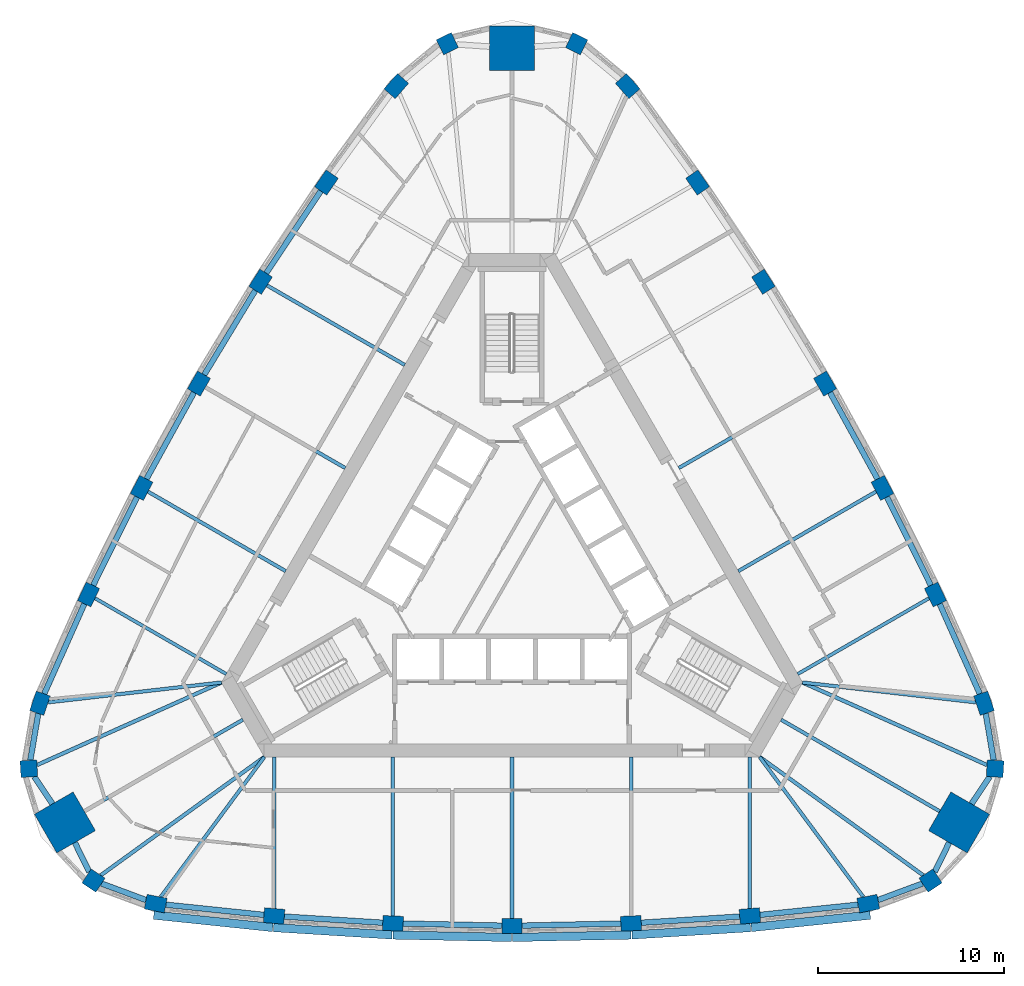
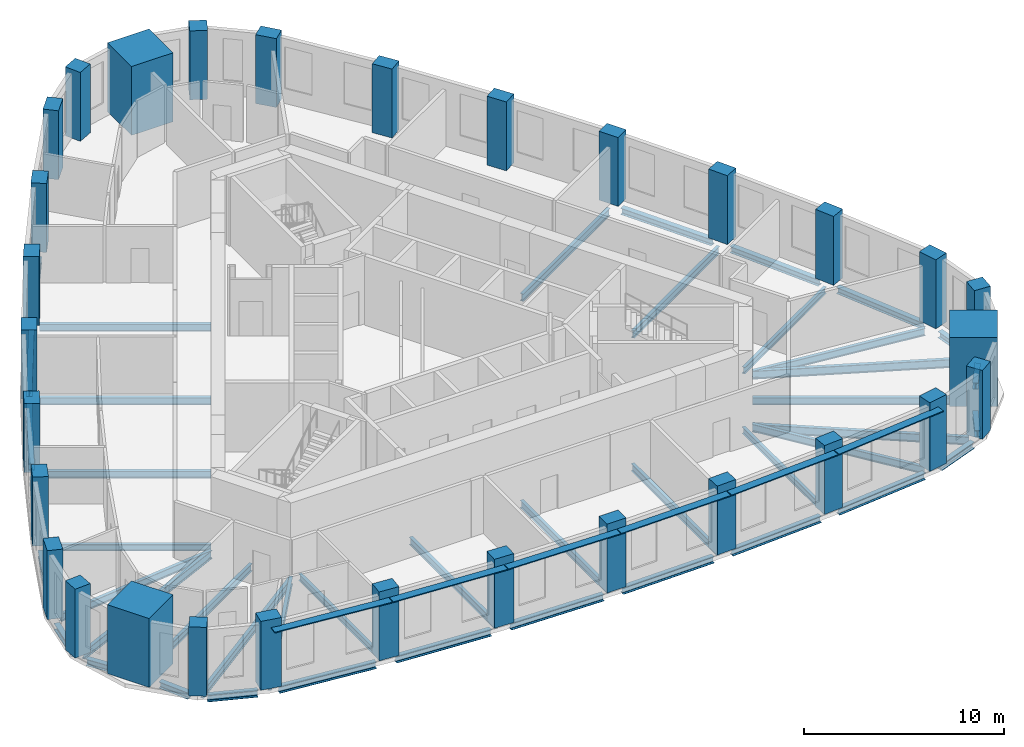
# One storey, part 1 of 10: 44 beams, 30 columns, 6 members.
"""IFC4 building model written with IfcOpenShell, lengths in metres."""

from ifc_helpers import new_model, si_unit, direction, frame, origin, origin_2d, place, context, subcontext, project, spatial, rectangle, i_section, extrude, material, material_profile, profile_set, type_object, element, save


model = new_model("IFC4")

# Units and contexts
model_context = context("Model", 3, precision=1e-05, world=origin(), true_north=direction((0.0, 1.0)))
body_context = subcontext(model_context, "Body", "Model", "MODEL_VIEW")
ifc_project = project(units=[si_unit("LENGTHUNIT", "METRE"), si_unit("AREAUNIT", "SQUARE_METRE"), si_unit("VOLUMEUNIT", "CUBIC_METRE"), si_unit("PLANEANGLEUNIT", "RADIAN"), si_unit("MASSUNIT", "GRAM", prefix="KILO")], contexts=[model_context])

# Site, building, storey
site_placement = place(None, origin())
site = spatial("IfcSite", under=ifc_project, at=site_placement, CompositionType="ELEMENT")
building_placement = place(site_placement, origin())
building = spatial("IfcBuilding", under=site, at=building_placement, Name="Mestral Congress Tower", CompositionType="ELEMENT")
storey_placement = place(building_placement, frame((0.0, 0.0, 218.39990234375)))
storey = spatial("IfcBuildingStorey", under=building, at=storey_placement, Name="L51", CompositionType="ELEMENT", Elevation=218.39990234375)

# Columns
ifc_material_1 = material(Name="Concrete C60/75", Category="concrete")
ifc_material_profile_1 = material_profile(ifc_material_1, rectangle(XDim=1.10009765625, YDim=0.800048828125, at=origin_2d()), Name="RC 1100x800")
ifc_profile_set_1 = profile_set([ifc_material_profile_1], Name="Concrete C60/75")
column_type_1 = type_object("IfcColumnType", Name="Column RC 1100x800 C60/75", PredefinedType="COLUMN", material=ifc_profile_set_1)
for number, where, z_axis, x_axis, name in (
    (1, (-19.150390625, -18.23681640625, 0.0), (0.0, 0.0, 1.0), (0.981324571854, -0.192359259395, 0.0), "COL-L51-C4-S00"),
    (2, (-12.785400390625, -18.899658203125, 0.0), (0.0, 0.0, 1.0), (0.996556680667, -0.082914306473, 0.0), "COL-L51-C4-S01"),
    (3, (-6.398193359375, -19.2978515625, 0.0), (0.0, 0.0, 1.0), (0.999138835542, -0.041492015025, 0.0), "COL-L51-C4-S02"),
    (4, (0.0, -19.4306640625, 0.0), (0.0, 0.0, 1.0), (1.0, 0.0, 0.0), "COL-L51-C4-S03"),
    (5, (6.398193359375, -19.2978515625, 0.0), (0.0, 0.0, 1.0), (0.999138835542, 0.041492015025, 0.0), "COL-L51-C4-S04"),
    (6, (12.785400390625, -18.899658203125, 0.0), (0.0, 0.0, 1.0), (0.996556680667, 0.082914306473, 0.0), "COL-L51-C4-S05"),
    (7, (19.150390625, -18.23681640625, 0.0), (0.0, 0.0, 1.0), (0.981324571854, 0.192359259395, 0.0), "COL-L51-C4-S06"),
    (8, (25.368896484375, -7.46630859375, 0.0), (0.0, 0.0, 1.0), (-0.324074280638, 0.946031638281, 0.0), "COL-L51-C4-E00"),
    (9, (22.76025390625, -1.62255859375, 0.0), (0.0, 0.0, 1.0), (-0.426472444591, 0.904500555005, 0.0), "COL-L51-C4-E01"),
    (10, (19.91162109375, 4.10791015625, 0.0), (0.0, 0.0, 1.0), (-0.463636278705, 0.886025621, 0.0), "COL-L51-C4-E02"),
    (11, (16.827392578125, 9.71533203125, 0.0), (0.0, 0.0, 1.0), (-0.5, 0.866025403784, 0.0), "COL-L51-C4-E03"),
    (12, (13.51318359375, 15.18994140625, 0.0), (0.0, 0.0, 1.0), (-0.535502556837, 0.844533605975, 0.0), "COL-L51-C4-E04"),
    (13, (9.974853515625, 20.522216796875, 0.0), (0.0, 0.0, 1.0), (-0.570084236076, 0.821586248532, 0.0), "COL-L51-C4-E05"),
    (14, (6.218505859375, 25.703125, 0.0), (0.0, 0.0, 1.0), (-0.657250291216, 0.753672378886, 0.0), "COL-L51-C4-E06"),
    (15, (-6.218505859375, 25.703125, 0.0), (0.0, 0.0, 1.0), (-0.657250291216, -0.753672378886, 0.0), "COL-L51-C4-W00"),
    (16, (-9.974853515625, 20.522216796875, 0.0), (0.0, 0.0, 1.0), (-0.570084236076, -0.821586248532, 0.0), "COL-L51-C4-W01"),
    (17, (-13.51318359375, 15.18994140625, 0.0), (0.0, 0.0, 1.0), (-0.535502556837, -0.844533605975, 0.0), "COL-L51-C4-W02"),
    (18, (-16.827392578125, 9.71533203125, 0.0), (0.0, 0.0, 1.0), (-0.5, -0.866025403784, 0.0), "COL-L51-C4-W03"),
    (19, (-19.91162109375, 4.10791015625, 0.0), (0.0, 0.0, 1.0), (-0.463636278705, -0.886025621, 0.0), "COL-L51-C4-W04"),
    (20, (-22.76025390625, -1.62255859375, 0.0), (0.0, 0.0, 1.0), (-0.426472444591, -0.904500555005, 0.0), "COL-L51-C4-W05"),
    (21, (-25.368896484375, -7.46630859375, 0.0), (0.0, 0.0, 1.0), (-0.324074280638, -0.946031638281, 0.0), "COL-L51-C4-W06"),
):
    element("IfcColumn", number, at=place(storey_placement, frame(where, z_axis=z_axis, x_axis=x_axis)), inside=storey, type_object=column_type_1, Name=name, PredefinedType="COLUMN", context=body_context, shape_type="SweptSolid", body=[
        extrude(rectangle(XDim=1.10009765625, YDim=0.800048828125, at=origin_2d()), origin(), (0.0, 0.0, 1.0), 4.2001953125),
    ])
ifc_material_profile_2 = material_profile(ifc_material_1, rectangle(XDim=0.89990234375, YDim=0.89990234375, at=origin_2d()), Name="RC 900x900")
ifc_profile_set_2 = profile_set([ifc_material_profile_2], Name="Concrete C60/75")
column_type_2 = type_object("IfcColumnType", Name="Column RC 900x900 C60/75", PredefinedType="COLUMN", material=ifc_profile_set_2)
for number, where, z_axis, x_axis, name in (
    (22, (22.494384765625, -16.99658203125, 0.0), (0.0, 0.0, 1.0), (0.833238868178, 0.552913183563, 0.0), "COL-L51-C4-SE1"),
    (23, (25.966552734375, -10.982421875, 0.0), (0.0, 0.0, 1.0), (0.062217428964, 0.998062619044, 0.0), "COL-L51-C4-SE3"),
    (24, (3.47216796875, 27.97900390625, 0.0), (0.0, 0.0, 1.0), (-0.895456297142, 0.445149435481, 0.0), "COL-L51-C4-N1"),
    (25, (-3.47216796875, 27.97900390625, 0.0), (0.0, 0.0, 1.0), (-0.895456297142, -0.445149435481, 0.0), "COL-L51-C4-N3"),
    (26, (-25.966552734375, -10.982421875, 0.0), (0.0, 0.0, 1.0), (0.062217428964, -0.998062619044, 0.0), "COL-L51-C4-SW1"),
    (27, (-22.494384765625, -16.99658203125, 0.0), (0.0, 0.0, 1.0), (0.833238868178, -0.552913183563, 0.0), "COL-L51-C4-SW3"),
):
    element("IfcColumn", number, at=place(storey_placement, frame(where, z_axis=z_axis, x_axis=x_axis)), inside=storey, type_object=column_type_2, Name=name, PredefinedType="COLUMN", context=body_context, shape_type="SweptSolid", body=[
        extrude(rectangle(XDim=0.89990234375, YDim=0.89990234375, at=origin_2d()), origin(), (0.0, 0.0, 1.0), 4.2001953125),
    ])
ifc_material_2 = material(Name="Concrete C70/85", Category="concrete")
ifc_material_profile_3 = material_profile(ifc_material_2, rectangle(XDim=2.39990234375, YDim=2.39990234375, at=origin_2d()), Name="RC 2400x2400")
ifc_profile_set_3 = profile_set([ifc_material_profile_3], Name="Concrete C70/85")
column_type_3 = type_object("IfcColumnType", Name="Mega column RC 2400x2400 C70/85", PredefinedType="COLUMN", material=ifc_profile_set_3)
for number, where, z_axis, x_axis, name in (
    (28, (24.02734375, -13.872314453125, 0.0), (0.0, 0.0, 1.0), (0.866025403784, -0.5, 0.0), "COL-L51-PY4-SE"),
    (29, (0.0, 27.744384765625, 0.0), (0.0, 0.0, 1.0), (0.0, 1.0, 0.0), "COL-L51-PY4-N"),
    (30, (-24.02734375, -13.872314453125, 0.0), (0.0, 0.0, 1.0), (-0.866025403784, -0.5, 0.0), "COL-L51-PY4-SW"),
):
    element("IfcColumn", number, at=place(storey_placement, frame(where, z_axis=z_axis, x_axis=x_axis)), inside=storey, type_object=column_type_3, Name=name, PredefinedType="COLUMN", context=body_context, shape_type="SweptSolid", body=[
        extrude(rectangle(XDim=2.39990234375, YDim=2.39990234375, at=origin_2d()), origin(), (0.0, 0.0, 1.0), 4.2001953125),
    ])

# Members
ifc_material_3 = material(Name="Glazed ceramic", Category="masonry")
ifc_material_profile_4 = material_profile(ifc_material_3, rectangle(XDim=0.449951171875, YDim=0.06005859375, at=origin_2d()), Name="Ceramic blade 450 x 60")
ifc_profile_set_4 = profile_set([ifc_material_profile_4], Name="Glazed ceramic")
member_type = type_object("IfcMemberType", Name="Facade sunshade blade 450 x 60", PredefinedType="USERDEFINED", material=ifc_profile_set_4)
member_1_placement = place(storey_placement, frame((-19.251708984375, -18.8544921875, 3.68017578125), z_axis=(0.994617919471, -0.103610782581, 0.0), x_axis=(0.103610782581, 0.994617919471, 0.0)))
element("IfcMember", 31, at=member_1_placement, inside=storey, type_object=member_type, Name="Sunshade F0-00", ObjectType="SUNSHADE", PredefinedType="USERDEFINED", context=body_context, shape_type="SweptSolid", body=[
    extrude(rectangle(XDim=0.449951171875, YDim=0.06005859375, at=origin_2d()), origin(), (0.0, 0.0, 1.0), 6.42578125),
])
member_2_placement = place(storey_placement, frame((-12.8134765625, -19.524169921875, 3.68017578125), z_axis=(0.99806373271, -0.062199561482, 0.0), x_axis=(0.062199561482, 0.99806373271, 0.0)))
element("IfcMember", 32, at=member_2_placement, inside=storey, type_object=member_type, Name="Sunshade F0-01", ObjectType="SUNSHADE", PredefinedType="USERDEFINED", context=body_context, shape_type="SweptSolid", body=[
    extrude(rectangle(XDim=0.449951171875, YDim=0.06005859375, at=origin_2d()), origin(), (0.0, 0.0, 1.0), 6.37841796875),
])
for number, where, z_axis, x_axis, name in (
    (33, (-6.400390625, -19.9228515625, 3.68017578125), (0.99978476383, -0.0207467109, 0.0), (0.0207467109, 0.99978476383, 0.0), "Sunshade F0-02"),
    (34, (0.023681640625, -20.05517578125, 3.68017578125), (0.99978476383, 0.0207467109, 0.0), (-0.0207467109, 0.99978476383, 0.0), "Sunshade F0-03"),
):
    element("IfcMember", number, at=place(storey_placement, frame(where, z_axis=z_axis, x_axis=x_axis)), inside=storey, type_object=member_type, Name=name, ObjectType="SUNSHADE", PredefinedType="USERDEFINED", context=body_context, shape_type="SweptSolid", body=[
        extrude(rectangle(XDim=0.449951171875, YDim=0.06005859375, at=origin_2d()), origin(), (0.0, 0.0, 1.0), 6.378173828125),
    ])
member_3_placement = place(storey_placement, frame((6.447509765625, -19.9208984375, 3.68017578125), z_axis=(0.99806373271, 0.062199561482, 0.0), x_axis=(-0.062199561482, 0.99806373271, 0.0)))
element("IfcMember", 35, at=member_3_placement, inside=storey, type_object=member_type, Name="Sunshade F0-04", ObjectType="SUNSHADE", PredefinedType="USERDEFINED", context=body_context, shape_type="SweptSolid", body=[
    extrude(rectangle(XDim=0.449951171875, YDim=0.06005859375, at=origin_2d()), origin(), (0.0, 0.0, 1.0), 6.37841796875),
])
member_4_placement = place(storey_placement, frame((12.860595703125, -19.520263671875, 3.68017578125), z_axis=(0.994617919471, 0.103610782581, 0.0), x_axis=(-0.103610782581, 0.994617919471, 0.0)))
element("IfcMember", 36, at=member_4_placement, inside=storey, type_object=member_type, Name="Sunshade F0-05", ObjectType="SUNSHADE", PredefinedType="USERDEFINED", context=body_context, shape_type="SweptSolid", body=[
    extrude(rectangle(XDim=0.449951171875, YDim=0.06005859375, at=origin_2d()), origin(), (0.0, 0.0, 1.0), 6.42578125),
])

# Beams
ifc_material_4 = material(Name="Steel S355", Category="steel")
ifc_material_profile_5 = material_profile(ifc_material_4, i_section(OverallWidth=0.179931640625, OverallDepth=0.39990234375, WebThickness=0.008544921875, FlangeThickness=0.013427734375, FilletRadius=0.02099609375, at=origin_2d()), Name="IPE 400")
ifc_profile_set_5 = profile_set([ifc_material_profile_5], Name="Steel S355")
beam_type_1 = type_object("IfcBeamType", Name="Floor beam IPE 400 S355", PredefinedType="BEAM", material=ifc_profile_set_5)
for number, where, z_axis, x_axis, name in (
    (37, (-12.785400390625, -18.498291015625, -0.449951171875), (0.0, 1.0, 0.0), (-1.0, 0.0, 0.0), "BM-L51-RB4-S01"),
    (38, (12.785400390625, -18.498291015625, -0.449951171875), (0.0, 1.0, 0.0), (-1.0, 0.0, 0.0), "BM-L51-RB4-S05"),
):
    element("IfcBeam", number, at=place(storey_placement, frame(where, z_axis=z_axis, x_axis=x_axis)), inside=storey, type_object=beam_type_1, Name=name, PredefinedType="BEAM", context=body_context, shape_type="SweptSolid", body=[
        extrude(i_section(OverallWidth=0.179931640625, OverallDepth=0.39990234375, WebThickness=0.008544921875, FlangeThickness=0.013427734375, FilletRadius=0.02099609375, at=origin_2d()), origin(), (0.0, 0.0, 1.0), 8.148193359375),
    ])
for number, where, z_axis, x_axis, name in (
    (39, (22.41259765625, -1.8232421875, -0.449951171875), (-0.866021929094, -0.500006018292, 0.0), (0.500006018292, -0.866021929094, 0.0), "BM-L51-RB4-E01"),
    (40, (-22.41259765625, -1.8232421875, -0.449951171875), (0.866021929094, -0.500006018292, 0.0), (0.500006018292, 0.866021929094, 0.0), "BM-L51-RB4-W05"),
):
    element("IfcBeam", number, at=place(storey_placement, frame(where, z_axis=z_axis, x_axis=x_axis)), inside=storey, type_object=beam_type_1, Name=name, PredefinedType="BEAM", context=body_context, shape_type="SweptSolid", body=[
        extrude(i_section(OverallWidth=0.179931640625, OverallDepth=0.39990234375, WebThickness=0.008544921875, FlangeThickness=0.013427734375, FilletRadius=0.02099609375, at=origin_2d()), origin(), (0.0, 0.0, 1.0), 8.1484375),
    ])
ifc_material_profile_6 = material_profile(ifc_material_4, i_section(OverallWidth=0.18994140625, OverallDepth=0.449951171875, WebThickness=0.009521484375, FlangeThickness=0.0146484375, FilletRadius=0.02099609375, at=origin_2d()), Name="IPE 450")
ifc_profile_set_6 = profile_set([ifc_material_profile_6], Name="Steel S355")
beam_type_2 = type_object("IfcBeamType", Name="Floor beam IPE 450 S355", PredefinedType="BEAM", material=ifc_profile_set_6)
beam_1_placement = place(storey_placement, frame((-18.88671875, -17.880859375, -0.474853515625), z_axis=(0.595263059859, 0.803530888994, 0.0), x_axis=(-0.803530888994, 0.595263059859, 0.0)))
element("IfcBeam", 41, at=beam_1_placement, inside=storey, type_object=beam_type_2, Name="BM-L51-RB4-S00", PredefinedType="BEAM", context=body_context, shape_type="SweptSolid", body=[
    extrude(i_section(OverallWidth=0.18994140625, OverallDepth=0.449951171875, WebThickness=0.009521484375, FlangeThickness=0.0146484375, FilletRadius=0.02099609375, at=origin_2d()), origin(), (0.0, 0.0, 1.0), 9.3720703125),
])
beam_2_placement = place(storey_placement, frame((-6.398193359375, -18.8974609375, -0.474853515625), z_axis=(0.0, 1.0, 0.0), x_axis=(-1.0, 0.0, 0.0)))
element("IfcBeam", 42, at=beam_2_placement, inside=storey, type_object=beam_type_2, Name="BM-L51-RB4-S02", PredefinedType="BEAM", context=body_context, shape_type="SweptSolid", body=[
    extrude(i_section(OverallWidth=0.18994140625, OverallDepth=0.449951171875, WebThickness=0.009521484375, FlangeThickness=0.0146484375, FilletRadius=0.02099609375, at=origin_2d()), origin(), (0.0, 0.0, 1.0), 8.54736328125),
])
beam_3_placement = place(storey_placement, frame((0.0, -19.030517578125, -0.474853515625), z_axis=(0.0, 1.0, 0.0), x_axis=(-1.0, 0.0, 0.0)))
element("IfcBeam", 43, at=beam_3_placement, inside=storey, type_object=beam_type_2, Name="BM-L51-RB4-S03", PredefinedType="BEAM", context=body_context, shape_type="SweptSolid", body=[
    extrude(i_section(OverallWidth=0.18994140625, OverallDepth=0.449951171875, WebThickness=0.009521484375, FlangeThickness=0.0146484375, FilletRadius=0.02099609375, at=origin_2d()), origin(), (0.0, 0.0, 1.0), 8.680419921875),
])
beam_4_placement = place(storey_placement, frame((6.398193359375, -18.8974609375, -0.474853515625), z_axis=(0.0, 1.0, 0.0), x_axis=(-1.0, 0.0, 0.0)))
element("IfcBeam", 44, at=beam_4_placement, inside=storey, type_object=beam_type_2, Name="BM-L51-RB4-S04", PredefinedType="BEAM", context=body_context, shape_type="SweptSolid", body=[
    extrude(i_section(OverallWidth=0.18994140625, OverallDepth=0.449951171875, WebThickness=0.009521484375, FlangeThickness=0.0146484375, FilletRadius=0.02099609375, at=origin_2d()), origin(), (0.0, 0.0, 1.0), 8.54736328125),
])
beam_5_placement = place(storey_placement, frame((18.88671875, -17.880859375, -0.474853515625), z_axis=(-0.595263059859, 0.803530888994, 0.0), x_axis=(-0.803530888994, -0.595263059859, 0.0)))
element("IfcBeam", 45, at=beam_5_placement, inside=storey, type_object=beam_type_2, Name="BM-L51-RB4-S06", PredefinedType="BEAM", context=body_context, shape_type="SweptSolid", body=[
    extrude(i_section(OverallWidth=0.18994140625, OverallDepth=0.449951171875, WebThickness=0.009521484375, FlangeThickness=0.0146484375, FilletRadius=0.02099609375, at=origin_2d()), origin(), (0.0, 0.0, 1.0), 9.3720703125),
])
beam_6_placement = place(storey_placement, frame((22.98828125, -13.272216796875, -0.474853515625), z_axis=(-0.866021631874, 0.500006533084, 0.0), x_axis=(-0.500006533084, -0.866021631874, 0.0)))
element("IfcBeam", 46, at=beam_6_placement, inside=storey, type_object=beam_type_2, Name="BM-L51-RB4-SE", PredefinedType="BEAM", context=body_context, shape_type="SweptSolid", body=[
    extrude(i_section(OverallWidth=0.18994140625, OverallDepth=0.449951171875, WebThickness=0.009521484375, FlangeThickness=0.0146484375, FilletRadius=0.02099609375, at=origin_2d()), origin(), (0.0, 0.0, 1.0), 9.844482421875),
])
beam_7_placement = place(storey_placement, frame((24.9287109375, -7.416015625, -0.474853515625), z_axis=(-0.99351166529, 0.11373025513, 0.0), x_axis=(-0.11373025513, -0.99351166529, 0.0)))
element("IfcBeam", 47, at=beam_7_placement, inside=storey, type_object=beam_type_2, Name="BM-L51-RB4-E00", PredefinedType="BEAM", context=body_context, shape_type="SweptSolid", body=[
    extrude(i_section(OverallWidth=0.18994140625, OverallDepth=0.449951171875, WebThickness=0.009521484375, FlangeThickness=0.0146484375, FilletRadius=0.02099609375, at=origin_2d()), origin(), (0.0, 0.0, 1.0), 9.372314453125),
])
beam_8_placement = place(storey_placement, frame((19.564697265625, 3.90771484375, -0.474853515625), z_axis=(-0.866028621479, -0.499994426748, 0.0), x_axis=(0.499994426748, -0.866028621479, 0.0)))
element("IfcBeam", 48, at=beam_8_placement, inside=storey, type_object=beam_type_2, Name="BM-L51-RB4-E02", PredefinedType="BEAM", context=body_context, shape_type="SweptSolid", body=[
    extrude(i_section(OverallWidth=0.18994140625, OverallDepth=0.449951171875, WebThickness=0.009521484375, FlangeThickness=0.0146484375, FilletRadius=0.02099609375, at=origin_2d()), origin(), (0.0, 0.0, 1.0), 8.54736328125),
])
beam_9_placement = place(storey_placement, frame((16.48095703125, 9.515380859375, -0.474853515625), z_axis=(-0.866022596503, -0.500004862322, 0.0), x_axis=(0.500004862322, -0.866022596503, 0.0)))
element("IfcBeam", 49, at=beam_9_placement, inside=storey, type_object=beam_type_2, Name="BM-L51-RB4-E03", PredefinedType="BEAM", context=body_context, shape_type="SweptSolid", body=[
    extrude(i_section(OverallWidth=0.18994140625, OverallDepth=0.449951171875, WebThickness=0.009521484375, FlangeThickness=0.0146484375, FilletRadius=0.02099609375, at=origin_2d()), origin(), (0.0, 0.0, 1.0), 8.6806640625),
])
beam_10_placement = place(storey_placement, frame((-13.16650390625, 14.98974609375, -0.474853515625), z_axis=(0.866028621479, -0.499994426748, 0.0), x_axis=(0.499994426748, 0.866028621479, 0.0)))
element("IfcBeam", 50, at=beam_10_placement, inside=storey, type_object=beam_type_2, Name="BM-L51-RB4-W02", PredefinedType="BEAM", context=body_context, shape_type="SweptSolid", body=[
    extrude(i_section(OverallWidth=0.18994140625, OverallDepth=0.449951171875, WebThickness=0.009521484375, FlangeThickness=0.0146484375, FilletRadius=0.02099609375, at=origin_2d()), origin(), (0.0, 0.0, 1.0), 8.54736328125),
])
beam_11_placement = place(storey_placement, frame((-16.48095703125, 9.515380859375, -0.474853515625), z_axis=(0.866022596503, -0.500004862322, 0.0), x_axis=(0.500004862322, 0.866022596503, 0.0)))
element("IfcBeam", 51, at=beam_11_placement, inside=storey, type_object=beam_type_2, Name="BM-L51-RB4-W03", PredefinedType="BEAM", context=body_context, shape_type="SweptSolid", body=[
    extrude(i_section(OverallWidth=0.18994140625, OverallDepth=0.449951171875, WebThickness=0.009521484375, FlangeThickness=0.0146484375, FilletRadius=0.02099609375, at=origin_2d()), origin(), (0.0, 0.0, 1.0), 8.6806640625),
])
beam_12_placement = place(storey_placement, frame((-19.564697265625, 3.90771484375, -0.474853515625), z_axis=(0.866028621479, -0.499994426748, 0.0), x_axis=(0.499994426748, 0.866028621479, 0.0)))
element("IfcBeam", 52, at=beam_12_placement, inside=storey, type_object=beam_type_2, Name="BM-L51-RB4-W04", PredefinedType="BEAM", context=body_context, shape_type="SweptSolid", body=[
    extrude(i_section(OverallWidth=0.18994140625, OverallDepth=0.449951171875, WebThickness=0.009521484375, FlangeThickness=0.0146484375, FilletRadius=0.02099609375, at=origin_2d()), origin(), (0.0, 0.0, 1.0), 8.54736328125),
])
beam_13_placement = place(storey_placement, frame((-24.9287109375, -7.416015625, -0.474853515625), z_axis=(0.99351166529, 0.11373025513, 0.0), x_axis=(-0.11373025513, 0.99351166529, 0.0)))
element("IfcBeam", 53, at=beam_13_placement, inside=storey, type_object=beam_type_2, Name="BM-L51-RB4-W06", PredefinedType="BEAM", context=body_context, shape_type="SweptSolid", body=[
    extrude(i_section(OverallWidth=0.18994140625, OverallDepth=0.449951171875, WebThickness=0.009521484375, FlangeThickness=0.0146484375, FilletRadius=0.02099609375, at=origin_2d()), origin(), (0.0, 0.0, 1.0), 9.372314453125),
])
beam_14_placement = place(storey_placement, frame((-22.98828125, -13.272216796875, -0.474853515625), z_axis=(0.866021631874, 0.500006533084, 0.0), x_axis=(-0.500006533084, 0.866021631874, 0.0)))
element("IfcBeam", 54, at=beam_14_placement, inside=storey, type_object=beam_type_2, Name="BM-L51-RB4-SW", PredefinedType="BEAM", context=body_context, shape_type="SweptSolid", body=[
    extrude(i_section(OverallWidth=0.18994140625, OverallDepth=0.449951171875, WebThickness=0.009521484375, FlangeThickness=0.0146484375, FilletRadius=0.02099609375, at=origin_2d()), origin(), (0.0, 0.0, 1.0), 9.844482421875),
])
ifc_material_profile_7 = material_profile(ifc_material_4, i_section(OverallWidth=0.199951171875, OverallDepth=0.5, WebThickness=0.01025390625, FlangeThickness=0.01611328125, FilletRadius=0.02099609375, at=origin_2d()), Name="IPE 500")
ifc_profile_set_7 = profile_set([ifc_material_profile_7], Name="Steel S355")
beam_type_3 = type_object("IfcBeamType", Name="Floor beam IPE 500 S355", PredefinedType="BEAM", material=ifc_profile_set_7)
beam_15_placement = place(storey_placement, frame((22.10498046875, -16.71484375, -0.5), z_axis=(-0.810186242112, 0.586172545496, 0.0), x_axis=(-0.586172545496, -0.810186242112, 0.0)))
element("IfcBeam", 55, at=beam_15_placement, inside=storey, type_object=beam_type_3, Name="BM-L51-RB4-SE1", PredefinedType="BEAM", context=body_context, shape_type="SweptSolid", body=[
    extrude(i_section(OverallWidth=0.199951171875, OverallDepth=0.5, WebThickness=0.01025390625, FlangeThickness=0.01611328125, FilletRadius=0.02099609375, at=origin_2d()), origin(), (0.0, 0.0, 1.0), 10.858154296875),
])
for number, where, z_axis, x_axis, name in (
    (56, (25.528076171875, -10.7861328125, -0.5), (-0.912742142995, 0.408536143323, 0.0), (-0.408536143323, -0.912742142995, 0.0), "BM-L51-RB4-SE3"),
    (57, (-25.528076171875, -10.7861328125, -0.5), (0.912742142995, 0.408536143323, 0.0), (-0.408536143323, 0.912742142995, 0.0), "BM-L51-RB4-SW1"),
):
    element("IfcBeam", number, at=place(storey_placement, frame(where, z_axis=z_axis, x_axis=x_axis)), inside=storey, type_object=beam_type_3, Name=name, PredefinedType="BEAM", context=body_context, shape_type="SweptSolid", body=[
        extrude(i_section(OverallWidth=0.199951171875, OverallDepth=0.5, WebThickness=0.01025390625, FlangeThickness=0.01611328125, FilletRadius=0.02099609375, at=origin_2d()), origin(), (0.0, 0.0, 1.0), 10.8583984375),
    ])
beam_16_placement = place(storey_placement, frame((-22.10498046875, -16.71484375, -0.5), z_axis=(0.810186242112, 0.586172545496, 0.0), x_axis=(-0.586172545496, 0.810186242112, 0.0)))
element("IfcBeam", 58, at=beam_16_placement, inside=storey, type_object=beam_type_3, Name="BM-L51-RB4-SW3", PredefinedType="BEAM", context=body_context, shape_type="SweptSolid", body=[
    extrude(i_section(OverallWidth=0.199951171875, OverallDepth=0.5, WebThickness=0.01025390625, FlangeThickness=0.01611328125, FilletRadius=0.02099609375, at=origin_2d()), origin(), (0.0, 0.0, 1.0), 10.858154296875),
])
ifc_material_profile_8 = material_profile(ifc_material_4, i_section(OverallWidth=0.300048828125, OverallDepth=0.389892578125, WebThickness=0.010986328125, FlangeThickness=0.01904296875, FilletRadius=0.027099609375, at=origin_2d()), Name="HEA 400")
ifc_profile_set_8 = profile_set([ifc_material_profile_8], Name="Steel S355")
beam_type_4 = type_object("IfcBeamType", Name="Spandrel beam HEA 400 S355", PredefinedType="BEAM", material=ifc_profile_set_8)
beam_17_placement = place(storey_placement, frame((-18.60107421875, -18.2939453125, -0.44482421875), z_axis=(0.994618013093, -0.103609883848, 0.0), x_axis=(0.103609883848, 0.994618013093, 0.0)))
element("IfcBeam", 59, at=beam_17_placement, inside=storey, type_object=beam_type_4, Name="SP-L51-SB4-S00", PredefinedType="BEAM", context=body_context, shape_type="SweptSolid", body=[
    extrude(i_section(OverallWidth=0.300048828125, OverallDepth=0.389892578125, WebThickness=0.010986328125, FlangeThickness=0.01904296875, FilletRadius=0.027099609375, at=origin_2d()), origin(), (0.0, 0.0, 1.0), 5.297119140625),
])
for number, where, z_axis, x_axis, name in (
    (60, (-12.236328125, -18.933837890625, -0.44482421875), (0.998061173507, -0.062240613248, 0.0), (0.062240613248, 0.998061173507, 0.0), "SP-L51-SB4-S01"),
    (61, (-5.84814453125, -19.309326171875, -0.44482421875), (0.999785070758, -0.020731914743, 0.0), (0.020731914743, 0.999785070758, 0.0), "SP-L51-SB4-S02"),
    (62, (0.550048828125, -19.419189453125, -0.44482421875), (0.999785070758, 0.020731914743, 0.0), (-0.020731914743, 0.999785070758, 0.0), "SP-L51-SB4-S03"),
    (63, (6.947265625, -19.263671875, -0.44482421875), (0.998061173507, 0.062240613248, 0.0), (-0.062240613248, 0.998061173507, 0.0), "SP-L51-SB4-S04"),
):
    element("IfcBeam", number, at=place(storey_placement, frame(where, z_axis=z_axis, x_axis=x_axis)), inside=storey, type_object=beam_type_4, Name=name, PredefinedType="BEAM", context=body_context, shape_type="SweptSolid", body=[
        extrude(i_section(OverallWidth=0.300048828125, OverallDepth=0.389892578125, WebThickness=0.010986328125, FlangeThickness=0.01904296875, FilletRadius=0.027099609375, at=origin_2d()), origin(), (0.0, 0.0, 1.0), 5.29931640625),
    ])
beam_18_placement = place(storey_placement, frame((13.33251953125, -18.8427734375, -0.44482421875), z_axis=(0.994618013093, 0.103609883848, 0.0), x_axis=(-0.103609883848, 0.994618013093, 0.0)))
element("IfcBeam", 64, at=beam_18_placement, inside=storey, type_object=beam_type_4, Name="SP-L51-SB4-S05", PredefinedType="BEAM", context=body_context, shape_type="SweptSolid", body=[
    extrude(i_section(OverallWidth=0.300048828125, OverallDepth=0.389892578125, WebThickness=0.010986328125, FlangeThickness=0.01904296875, FilletRadius=0.027099609375, at=origin_2d()), origin(), (0.0, 0.0, 1.0), 5.297119140625),
])
beam_19_placement = place(storey_placement, frame((19.6728515625, -18.04296875, -0.44482421875), z_axis=(0.937591421971, 0.347738875374, 0.0), x_axis=(-0.347738875374, 0.937591421971, 0.0)))
element("IfcBeam", 65, at=beam_19_placement, inside=storey, type_object=beam_type_4, Name="SP-L51-SB4-S06", PredefinedType="BEAM", context=body_context, shape_type="SweptSolid", body=[
    extrude(i_section(OverallWidth=0.300048828125, OverallDepth=0.389892578125, WebThickness=0.010986328125, FlangeThickness=0.01904296875, FilletRadius=0.027099609375, at=origin_2d()), origin(), (0.0, 0.0, 1.0), 2.547119140625),
])
for number, where, z_axis, x_axis, name in (
    (66, (22.723876953125, -16.528564453125, -0.44482421875), (0.440528581483, 0.897738586058, 0.0), (-0.897738586058, 0.440528581483, 0.0), "SP-L51-SB4-SE1"),
    (67, (24.697509765625, -12.87353515625, -0.44482421875), (0.557295931564, 0.830313943435, 0.0), (-0.830313943435, 0.557295931564, 0.0), "SP-L51-SB4-SE"),
):
    element("IfcBeam", number, at=place(storey_placement, frame(where, z_axis=z_axis, x_axis=x_axis)), inside=storey, type_object=beam_type_4, Name=name, PredefinedType="BEAM", context=body_context, shape_type="SweptSolid", body=[
        extrude(i_section(OverallWidth=0.300048828125, OverallDepth=0.389892578125, WebThickness=0.010986328125, FlangeThickness=0.01904296875, FilletRadius=0.027099609375, at=origin_2d()), origin(), (0.0, 0.0, 1.0), 1.75634765625),
    ])
beam_20_placement = place(storey_placement, frame((25.88916015625, -10.52685546875, -0.44482421875), z_axis=(-0.167630891496, 0.98584982843, 0.0), x_axis=(-0.98584982843, -0.167630891496, 0.0)))
element("IfcBeam", 68, at=beam_20_placement, inside=storey, type_object=beam_type_4, Name="SP-L51-SB4-SE3", PredefinedType="BEAM", context=body_context, shape_type="SweptSolid", body=[
    extrude(i_section(OverallWidth=0.300048828125, OverallDepth=0.389892578125, WebThickness=0.010986328125, FlangeThickness=0.01904296875, FilletRadius=0.027099609375, at=origin_2d()), origin(), (0.0, 0.0, 1.0), 2.54736328125),
])
beam_21_placement = place(storey_placement, frame((25.143798828125, -6.9619140625, -0.44482421875), z_axis=(-0.407626134336, 0.913148911518, 0.0), x_axis=(-0.913148911518, -0.407626134336, 0.0)))
element("IfcBeam", 69, at=beam_21_placement, inside=storey, type_object=beam_type_4, Name="SP-L51-SB4-E00", PredefinedType="BEAM", context=body_context, shape_type="SweptSolid", body=[
    extrude(i_section(OverallWidth=0.300048828125, OverallDepth=0.389892578125, WebThickness=0.010986328125, FlangeThickness=0.01904296875, FilletRadius=0.027099609375, at=origin_2d()), origin(), (0.0, 0.0, 1.0), 5.296875),
])
beam_22_placement = place(storey_placement, frame((22.515380859375, -1.1298828125, -0.44482421875), z_axis=(-0.445148375831, 0.895456823914, 0.0), x_axis=(-0.895456823914, -0.445148375831, 0.0)))
element("IfcBeam", 70, at=beam_22_placement, inside=storey, type_object=beam_type_4, Name="SP-L51-SB4-E01", PredefinedType="BEAM", context=body_context, shape_type="SweptSolid", body=[
    extrude(i_section(OverallWidth=0.300048828125, OverallDepth=0.389892578125, WebThickness=0.010986328125, FlangeThickness=0.01904296875, FilletRadius=0.027099609375, at=origin_2d()), origin(), (0.0, 0.0, 1.0), 5.299072265625),
])
beam_23_placement = place(storey_placement, frame((19.646484375, 4.58984375, -0.44482421875), z_axis=(-0.481918749772, 0.876215908677, 0.0), x_axis=(-0.876215908677, -0.481918749772, 0.0)))
element("IfcBeam", 71, at=beam_23_placement, inside=storey, type_object=beam_type_4, Name="SP-L51-SB4-E02", PredefinedType="BEAM", context=body_context, shape_type="SweptSolid", body=[
    extrude(i_section(OverallWidth=0.300048828125, OverallDepth=0.389892578125, WebThickness=0.010986328125, FlangeThickness=0.01904296875, FilletRadius=0.027099609375, at=origin_2d()), origin(), (0.0, 0.0, 1.0), 5.299560546875),
])
for number, where, z_axis, x_axis, name in (
    (72, (-10.279052734375, 20.063720703125, -0.44482421875), (-0.552934106774, -0.833224983762, 0.0), (0.833224983762, -0.552934106774, 0.0), "SP-L51-SB4-W01"),
    (73, (-13.798095703125, 14.71923828125, -0.44482421875), (-0.517865676042, -0.855461946306, 0.0), (0.855461946306, -0.517865676042, 0.0), "SP-L51-SB4-W02"),
):
    element("IfcBeam", number, at=place(storey_placement, frame(where, z_axis=z_axis, x_axis=x_axis)), inside=storey, type_object=beam_type_4, Name=name, PredefinedType="BEAM", context=body_context, shape_type="SweptSolid", body=[
        extrude(i_section(OverallWidth=0.300048828125, OverallDepth=0.389892578125, WebThickness=0.010986328125, FlangeThickness=0.01904296875, FilletRadius=0.027099609375, at=origin_2d()), origin(), (0.0, 0.0, 1.0), 5.29931640625),
    ])
beam_24_placement = place(storey_placement, frame((-17.092529296875, 9.2333984375, -0.44482421875), z_axis=(-0.481918749772, -0.876215908677, 0.0), x_axis=(0.876215908677, -0.481918749772, 0.0)))
element("IfcBeam", 74, at=beam_24_placement, inside=storey, type_object=beam_type_4, Name="SP-L51-SB4-W03", PredefinedType="BEAM", context=body_context, shape_type="SweptSolid", body=[
    extrude(i_section(OverallWidth=0.300048828125, OverallDepth=0.389892578125, WebThickness=0.010986328125, FlangeThickness=0.01904296875, FilletRadius=0.027099609375, at=origin_2d()), origin(), (0.0, 0.0, 1.0), 5.299560546875),
])
beam_25_placement = place(storey_placement, frame((-20.156494140625, 3.615234375, -0.44482421875), z_axis=(-0.445148375831, -0.895456823914, 0.0), x_axis=(0.895456823914, -0.445148375831, 0.0)))
element("IfcBeam", 75, at=beam_25_placement, inside=storey, type_object=beam_type_4, Name="SP-L51-SB4-W04", PredefinedType="BEAM", context=body_context, shape_type="SweptSolid", body=[
    extrude(i_section(OverallWidth=0.300048828125, OverallDepth=0.389892578125, WebThickness=0.010986328125, FlangeThickness=0.01904296875, FilletRadius=0.027099609375, at=origin_2d()), origin(), (0.0, 0.0, 1.0), 5.299072265625),
])
beam_26_placement = place(storey_placement, frame((-22.984619140625, -2.125, -0.44482421875), z_axis=(-0.407626134336, -0.913148911518, 0.0), x_axis=(0.913148911518, -0.407626134336, 0.0)))
element("IfcBeam", 76, at=beam_26_placement, inside=storey, type_object=beam_type_4, Name="SP-L51-SB4-W05", PredefinedType="BEAM", context=body_context, shape_type="SweptSolid", body=[
    extrude(i_section(OverallWidth=0.300048828125, OverallDepth=0.389892578125, WebThickness=0.010986328125, FlangeThickness=0.01904296875, FilletRadius=0.027099609375, at=origin_2d()), origin(), (0.0, 0.0, 1.0), 5.296875),
])
beam_27_placement = place(storey_placement, frame((-25.462158203125, -8.015625, -0.44482421875), z_axis=(-0.167630891496, -0.98584982843, 0.0), x_axis=(0.98584982843, -0.167630891496, 0.0)))
element("IfcBeam", 77, at=beam_27_placement, inside=storey, type_object=beam_type_4, Name="SP-L51-SB4-W06", PredefinedType="BEAM", context=body_context, shape_type="SweptSolid", body=[
    extrude(i_section(OverallWidth=0.300048828125, OverallDepth=0.389892578125, WebThickness=0.010986328125, FlangeThickness=0.01904296875, FilletRadius=0.027099609375, at=origin_2d()), origin(), (0.0, 0.0, 1.0), 2.54736328125),
])
for number, where, z_axis, x_axis, name in (
    (78, (-25.67626953125, -11.415283203125, -0.44482421875), (0.557295931564, -0.830313943435, 0.0), (0.830313943435, 0.557295931564, 0.0), "SP-L51-SB4-SW1"),
    (79, (-23.49755859375, -14.951904296875, -0.44482421875), (0.440528581483, -0.897738586058, 0.0), (0.897738586058, 0.440528581483, 0.0), "SP-L51-SB4-SW"),
):
    element("IfcBeam", number, at=place(storey_placement, frame(where, z_axis=z_axis, x_axis=x_axis)), inside=storey, type_object=beam_type_4, Name=name, PredefinedType="BEAM", context=body_context, shape_type="SweptSolid", body=[
        extrude(i_section(OverallWidth=0.300048828125, OverallDepth=0.389892578125, WebThickness=0.010986328125, FlangeThickness=0.01904296875, FilletRadius=0.027099609375, at=origin_2d()), origin(), (0.0, 0.0, 1.0), 1.75634765625),
    ])
beam_28_placement = place(storey_placement, frame((-22.06103515625, -17.1572265625, -0.44482421875), z_axis=(0.937591421971, -0.347738875374, 0.0), x_axis=(0.347738875374, 0.937591421971, 0.0)))
element("IfcBeam", 80, at=beam_28_placement, inside=storey, type_object=beam_type_4, Name="SP-L51-SB4-SW3", PredefinedType="BEAM", context=body_context, shape_type="SweptSolid", body=[
    extrude(i_section(OverallWidth=0.300048828125, OverallDepth=0.389892578125, WebThickness=0.010986328125, FlangeThickness=0.01904296875, FilletRadius=0.027099609375, at=origin_2d()), origin(), (0.0, 0.0, 1.0), 2.547119140625),
])

save(model, "model.ifc")
